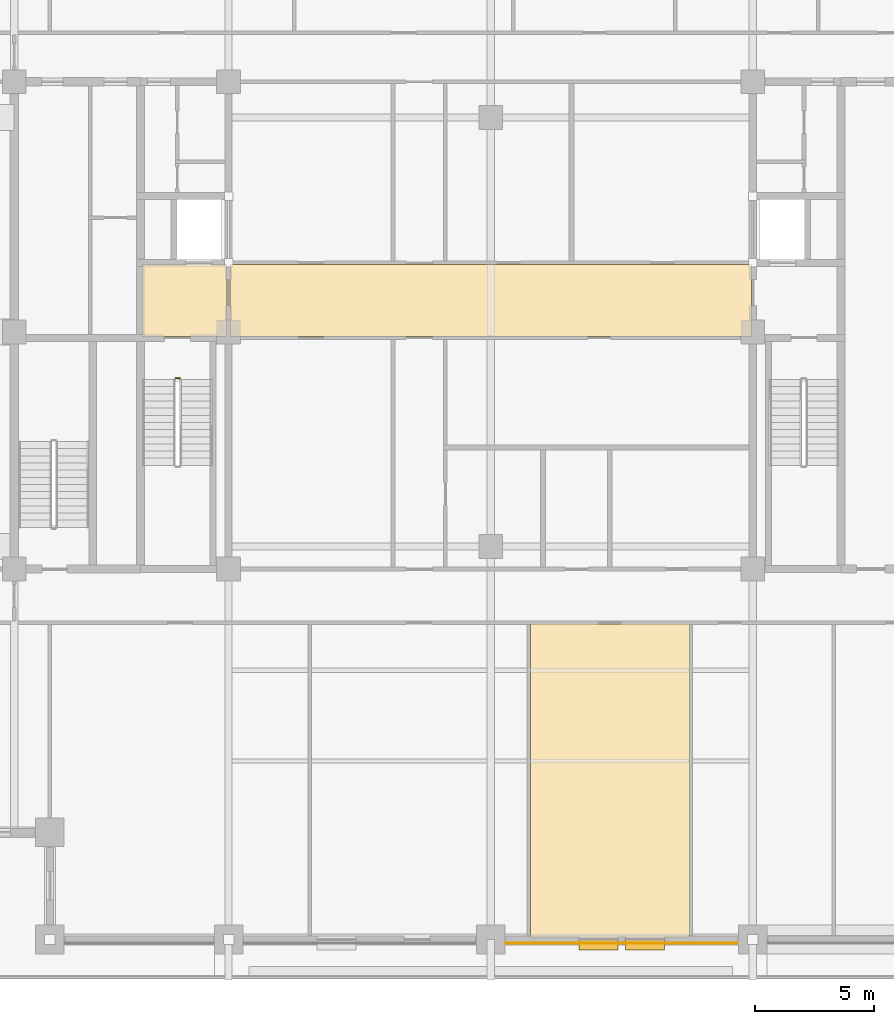
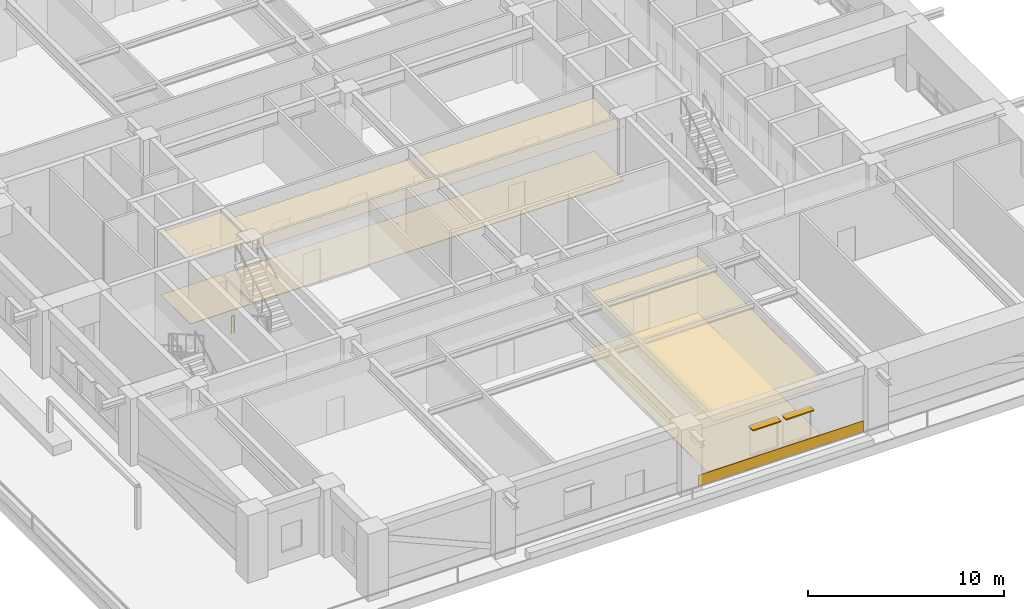
# One storey, part 18 of 21: 7 coverings, 2 shading devices, 1 railing.
"""IFC4 building model written with IfcOpenShell, lengths in metres."""

from ifc_helpers import new_model, si_unit, direction, frame, frame_2d, origin, origin_2d, place, context, subcontext, project, spatial, polyline, rectangle, outline, extrude, material, layer, layer_set, type_object, element, save


model = new_model("IFC4")

# Units and contexts
model_context = context("Model", 3, precision=1e-05, world=origin(), true_north=direction((0.0, 1.0)))
body_context = subcontext(model_context, "Body", "Model", "MODEL_VIEW")
ifc_project = project(units=[si_unit("LENGTHUNIT", "METRE"), si_unit("AREAUNIT", "SQUARE_METRE"), si_unit("VOLUMEUNIT", "CUBIC_METRE"), si_unit("PLANEANGLEUNIT", "RADIAN"), si_unit("MASSUNIT", "GRAM", prefix="KILO")], contexts=[model_context])

# Site, building, storey
site_placement = place(None, origin())
site = spatial("IfcSite", under=ifc_project, at=site_placement, CompositionType="ELEMENT")
building_placement = place(site_placement, origin())
building = spatial("IfcBuilding", under=site, at=building_placement, Name="Zulmaris Gate Convention Tower", CompositionType="ELEMENT")
storey_placement = place(building_placement, frame((0.0, 0.0, 86.93994140625)))
storey = spatial("IfcBuildingStorey", under=building, at=storey_placement, Name="L21", CompositionType="ELEMENT", Elevation=86.93994140625)

# Coverings
ifc_material_1 = material(Name="Precast concrete C40/50", Category="concrete")
ifc_layer_1 = layer(ifc_material_1, 0.0400390625, Name="Precast concrete C40/50")
ifc_layer_set_1 = layer_set([ifc_layer_1], Name="Precast concrete C40/50")
covering_type_1 = type_object("IfcCoveringType", Name="CLAD-SPANDREL-PRECAST", PredefinedType="CLADDING", material=ifc_layer_set_1)
covering_1_placement = place(storey_placement, frame((0.6298828125, -25.64990234375, 0.0), z_axis=(0.0, 0.0, 1.0), x_axis=(1.0, 0.0, 0.0)))
element("IfcCovering", 1, at=covering_1_placement, inside=storey, type_object=covering_type_1, Name="CLD-L21-S-2_0", PredefinedType="CLADDING", context=body_context, shape_type="SweptSolid", body=[
    extrude(rectangle(XDim=9.740234375, YDim=0.0400390625, at=frame_2d((4.8701171875, 0.0))), origin(), (0.0, 0.0, 1.0), 0.679931640625),
])
ifc_material_2 = material(Name="Mineral Fibre Acoustic Ceiling Tile")
ifc_layer_2 = layer(ifc_material_2, 0.02001953125, Name="Mineral Fibre Acoustic Ceiling Tile")
ifc_layer_set_2 = layer_set([ifc_layer_2], Name="Mineral Fibre Acoustic Ceiling Tile")
covering_type_2 = type_object("IfcCoveringType", Name="CLG-ACOUSTIC-600", PredefinedType="CEILING", material=ifc_layer_set_2)
covering_2_placement = place(storey_placement, frame((0.0, 0.0, 3.889892578125)))
element("IfcCovering", 2, at=covering_2_placement, inside=storey, type_object=covering_type_2, Name="CLG-L21-R03", PredefinedType="CEILING", context=body_context, shape_type="SweptSolid", body=[
    extrude(outline(polyline([(-14.639892578125, -0.18994140625), (-11.06005859375, -0.18994140625), (-11.06005859375, 2.840087890625), (-14.639892578125, 2.840087890625), (-14.639892578125, -0.18994140625)])), origin(), (0.0, 0.0, 1.0), 0.02001953125),
])
covering_3_placement = place(storey_placement, frame((0.0, 0.0, 3.327880859375)))
element("IfcCovering", 3, at=covering_3_placement, inside=storey, type_object=covering_type_2, Name="CLG-L21-R36", PredefinedType="CEILING", context=body_context, shape_type="SweptSolid", body=[
    extrude(outline(polyline([(-10.93994140625, -0.18994140625), (10.93994140625, -0.18994140625), (10.93994140625, 2.840087890625), (-10.93994140625, 2.840087890625), (-10.93994140625, -0.18994140625)])), origin(), (0.0, 0.0, 1.0), 0.02001953125),
])
covering_4_placement = place(storey_placement, frame((0.0, 0.0, 3.530029296875)))
element("IfcCovering", 4, at=covering_4_placement, inside=storey, type_object=covering_type_2, Name="CLG-L21-R46", PredefinedType="CEILING", context=body_context, shape_type="SweptSolid", body=[
    extrude(outline(polyline([(1.659912109375, -25.43994140625), (8.340087890625, -25.43994140625), (8.340087890625, -12.260009765625), (1.659912109375, -12.260009765625), (1.659912109375, -25.43994140625)])), origin(), (0.0, 0.0, 1.0), 0.02001953125),
])
ifc_material_3 = material(Name="Woven Acoustic Wool Carpet Tile")
ifc_layer_3 = layer(ifc_material_3, 0.02001953125, Name="Woven Acoustic Wool Carpet Tile")
ifc_layer_set_3 = layer_set([ifc_layer_3], Name="Woven Acoustic Wool Carpet Tile")
covering_type_3 = type_object("IfcCoveringType", Name="FLR-CARPET-12", PredefinedType="FLOORING", material=ifc_layer_set_3)
covering_5_placement = place(storey_placement, origin())
element("IfcCovering", 5, at=covering_5_placement, inside=storey, type_object=covering_type_3, Name="FLR-L21-R03", PredefinedType="FLOORING", context=body_context, shape_type="SweptSolid", body=[
    extrude(outline(polyline([(-14.639892578125, -0.18994140625), (-11.06005859375, -0.18994140625), (-11.06005859375, 2.840087890625), (-14.639892578125, 2.840087890625), (-14.639892578125, -0.18994140625)])), origin(), (0.0, 0.0, 1.0), 0.02001953125),
])
covering_6_placement = place(storey_placement, origin())
element("IfcCovering", 6, at=covering_6_placement, inside=storey, type_object=covering_type_3, Name="FLR-L21-R36", PredefinedType="FLOORING", context=body_context, shape_type="SweptSolid", body=[
    extrude(outline(polyline([(-10.93994140625, -0.18994140625), (10.93994140625, -0.18994140625), (10.93994140625, 2.840087890625), (-10.93994140625, 2.840087890625), (-10.93994140625, -0.18994140625)])), origin(), (0.0, 0.0, 1.0), 0.02001953125),
])
covering_7_placement = place(storey_placement, origin())
element("IfcCovering", 7, at=covering_7_placement, inside=storey, type_object=covering_type_3, Name="FLR-L21-R46", PredefinedType="FLOORING", context=body_context, shape_type="SweptSolid", body=[
    extrude(outline(polyline([(1.659912109375, -25.43994140625), (8.340087890625, -25.43994140625), (8.340087890625, -12.260009765625), (1.659912109375, -12.260009765625), (1.659912109375, -25.43994140625)])), origin(), (0.0, 0.0, 1.0), 0.02001953125),
])

# Railing
ifc_material_4 = material(Name="Painted Galvanised Steel", Category="steel")
railing_type = type_object("IfcRailingType", Name="RL-STG-1150", PredefinedType="GUARDRAIL", material=ifc_material_4)
railing_placement = place(storey_placement, frame((-13.219970703125, -1.949951171875, 0.0)))
element("IfcRailing", 8, at=railing_placement, inside=storey, type_object=railing_type, Name="L21 ST-1 stair guard 4", PredefinedType="GUARDRAIL", context=body_context, shape_type="SweptSolid", body=[
    extrude(rectangle(XDim=0.048095703125, YDim=0.048095703125, at=origin_2d()), frame((0.0, 0.0, 1.076171875), z_axis=(1.0, 0.0, 0.0), x_axis=(0.0, 1.0, 0.0)), (0.0, 0.0, 1.0), 0.159912109375),
    extrude(rectangle(XDim=0.0419921875, YDim=0.0419921875, at=origin_2d()), origin(), (0.0, 0.0, 1.0), 1.052001953125),
    extrude(rectangle(XDim=0.0419921875, YDim=0.0419921875, at=origin_2d()), frame((0.159912109375, 0.0, 0.0)), (0.0, 0.0, 1.0), 1.052001953125),
])

# Shading devices
ifc_material_5 = material(Name="Glazed Ceramic Terracotta", Category="masonry")
ifc_layer_4 = layer(ifc_material_5, 0.070068359375, Name="Glazed Ceramic Terracotta")
ifc_layer_set_4 = layer_set([ifc_layer_4], Name="Glazed Ceramic Terracotta")
shading_device_type = type_object("IfcShadingDeviceType", Name="SHD-SUNSHADE-TC", PredefinedType="AWNING", material=ifc_layer_set_4)
for number, where, z_axis, x_axis, name in (
    (9, (3.700927734375, -25.719970703125, 2.530029296875), (0.0, 0.0, 1.0), (1.0, 0.0, 0.0), "SHD-EW-L21-S-2_0-2"),
    (10, (5.64892578125, -25.719970703125, 2.530029296875), (0.0, 0.0, 1.0), (1.0, 0.0, 0.0), "SHD-EW-L21-S-2_0-3"),
):
    element("IfcShadingDevice", number, at=place(storey_placement, frame(where, z_axis=z_axis, x_axis=x_axis)), inside=storey, type_object=shading_device_type, Name=name, PredefinedType="AWNING", context=body_context, shape_type="SweptSolid", body=[
        extrude(rectangle(XDim=1.650146484375, YDim=0.43994140625, at=frame_2d((0.8251953125, 0.0))), origin(), (0.0, 0.0, 1.0), 0.06982421875),
    ])

save(model, "model.ifc")
